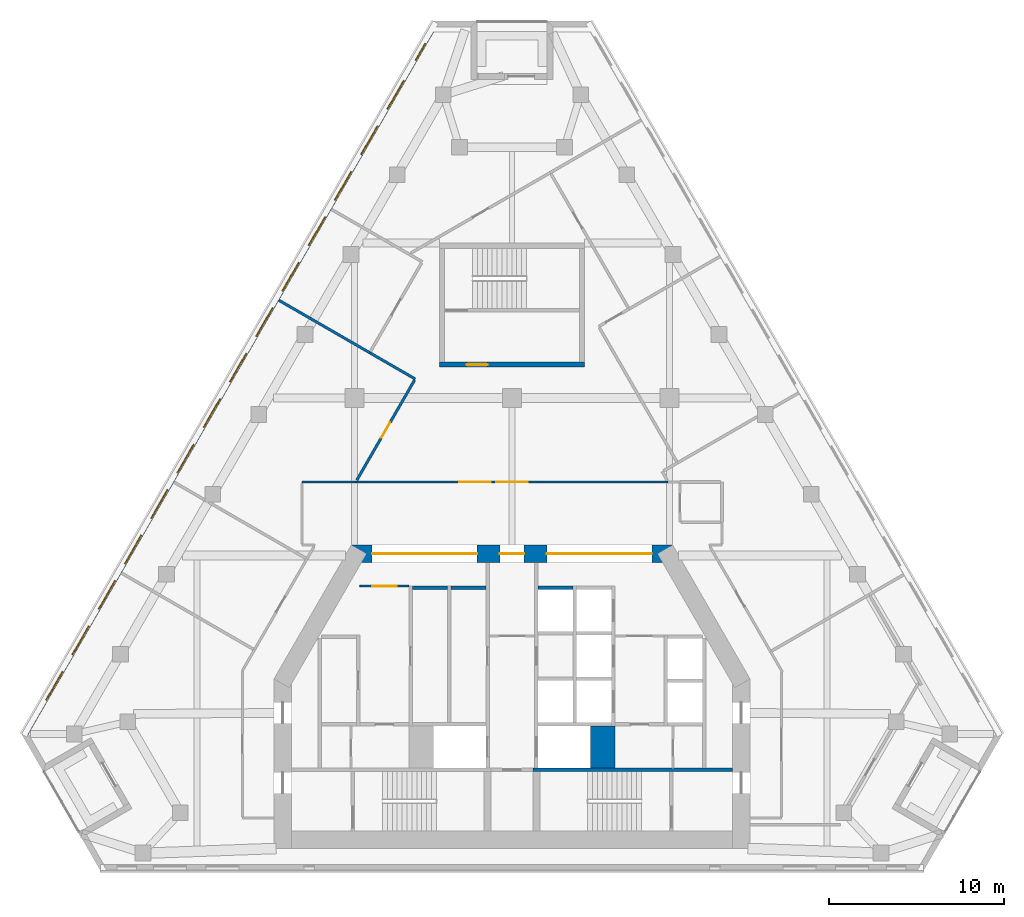
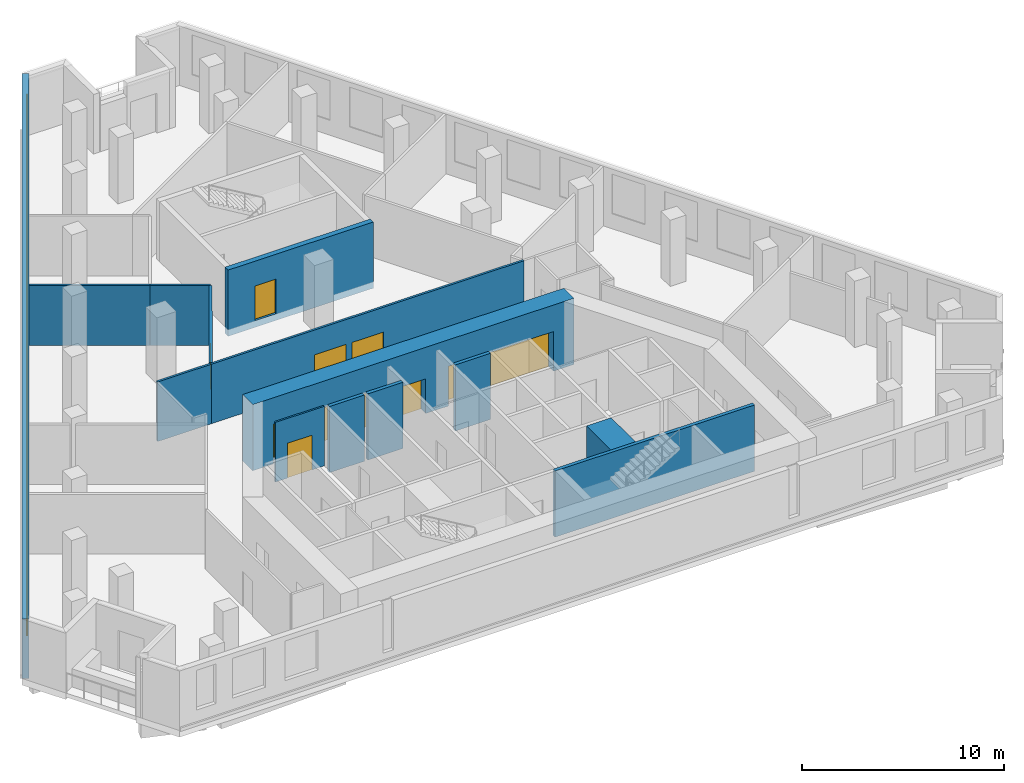
# One storey, part 5 of 9: 15 windows, 14 walls, 8 doors, 23 openings.
"""IFC4 building model written with IfcOpenShell, lengths in metres."""

import ifcopenshell
import ifcopenshell.guid

model = None  # the IFC model being written
_history = None  # IfcOwnerHistory: only IFC2X3 demands one
_inside = {}  # id of a spatial element -> (the spatial element, [elements in it])
_under = {}  # id of a project, library or spatial element -> (it, [spatial elements below it])
_declared = {}  # id of a project -> (the project, [libraries it declares])
_typed = {}  # id of a type object -> (the type object, [elements of that type])
_made_of = {}  # id of a material, layer set ... -> (it, [elements and type objects made of it])


def new_model(schema):
    """Start an empty IFC model of exactly this schema.

    Asked for "IFC4X3", IfcOpenShell would pick the latest addendum, in which some entities
    have other attributes; the version numbers below select the first issue.
    IFC2X3 requires an IfcOwnerHistory on every rooted entity: one is made here for all.
    """
    global model, _history
    if schema == "IFC4X3":
        model = ifcopenshell.file(schema_version=(4, 3, 0, 0))
    else:
        model = ifcopenshell.file(schema=schema)
    _inside.clear()
    _under.clear()
    _declared.clear()
    _typed.clear()
    _made_of.clear()
    _history = None
    if model.schema == "IFC2X3":
        org = make("IfcOrganization", Name="unknown")
        user = make(
            "IfcPersonAndOrganization",
            ThePerson=make("IfcPerson", FamilyName="unknown"),
            TheOrganization=org,
        )
        app = make(
            "IfcApplication",
            ApplicationDeveloper=org,
            Version="unknown",
            ApplicationFullName="unknown",
            ApplicationIdentifier="unknown",
        )
        _history = make(
            "IfcOwnerHistory",
            OwningUser=user,
            OwningApplication=app,
            ChangeAction="ADDED",
            CreationDate=0,
        )
    return model


def make(cls, **values):
    """One entity of the class cls with the attributes given. An attribute that is None is left unset."""
    return model.create_entity(
        cls, **{name: value for name, value in values.items() if value is not None}
    )


def rooted(cls, **values):
    """An entity with a GlobalId (a new one), such as an element, a storey or a relation."""
    return make(cls, GlobalId=ifcopenshell.guid.new(), OwnerHistory=_history, **values)


def si_unit(unit_type, name, prefix=None):
    """IfcSIUnit, for example si_unit("LENGTHUNIT", "METRE", prefix="MILLI")."""
    return make("IfcSIUnit", UnitType=unit_type, Prefix=prefix, Name=name)


def assignment(units):
    """IfcUnitAssignment: the units of a project."""
    return None if units is None else make("IfcUnitAssignment", Units=units)


def point(xyz):
    """IfcCartesianPoint."""
    return None if xyz is None else make("IfcCartesianPoint", Coordinates=xyz)


def direction(xyz):
    """IfcDirection."""
    return None if xyz is None else make("IfcDirection", DirectionRatios=xyz)


def frame(location, z_axis=None, x_axis=None):
    """IfcAxis2Placement3D, a coordinate frame: its origin and axes. An axis left out is left unset."""
    return make(
        "IfcAxis2Placement3D",
        Location=point(location),
        Axis=direction(z_axis),
        RefDirection=direction(x_axis),
    )


def frame_2d(location, x_axis=None):
    """IfcAxis2Placement2D, a coordinate frame in the plane: its origin and x axis."""
    return make(
        "IfcAxis2Placement2D", Location=point(location), RefDirection=direction(x_axis)
    )


def origin():
    """The frame at (0, 0, 0) with its axes left unset."""
    return frame((0.0, 0.0, 0.0))


def place(relative_to, where):
    """IfcLocalPlacement: puts the frame where relative to a parent placement (None: the world)."""
    return make(
        "IfcLocalPlacement", PlacementRelTo=relative_to, RelativePlacement=where
    )


def context(
    kind, dimensions, precision=None, world=None, true_north=None, identifier=None
):
    """IfcGeometricRepresentationContext, for example the 3D "Model" context."""
    return make(
        "IfcGeometricRepresentationContext",
        ContextIdentifier=identifier,
        ContextType=kind,
        CoordinateSpaceDimension=dimensions,
        Precision=precision,
        WorldCoordinateSystem=world,
        TrueNorth=true_north,
    )


def subcontext(parent, identifier, kind, view, scale=None):
    """IfcGeometricRepresentationSubContext, for example "Body" below "Model"."""
    return make(
        "IfcGeometricRepresentationSubContext",
        ContextIdentifier=identifier,
        ContextType=kind,
        ParentContext=parent,
        TargetScale=scale,
        TargetView=view,
    )


def project(units=None, contexts=None):
    """IfcProject with its units and contexts."""
    return rooted(
        "IfcProject",
        Name="project",
        RepresentationContexts=contexts,
        UnitsInContext=assignment(units),
    )


def spatial(cls, under=None, at=None, **own):
    """A site, building, storey or space (cls), placed at a placement, below another one or the project."""
    s = rooted(cls, ObjectPlacement=at, **own)
    if under is not None:
        _under.setdefault(under.id(), (under, []))[1].append(s)
    return s


def profile(cls, at=None, kind="AREA", **sizes):
    """A parametric profile (cls). Its sizes go by their IFC names, for example OverallWidth=200.0."""
    return make(cls, ProfileType=kind, Position=at, **sizes)


def rectangle(**sizes):
    """IfcRectangleProfileDef."""
    return profile("IfcRectangleProfileDef", **sizes)


def extrude(swept, where, along, depth):
    """IfcExtrudedAreaSolid: the profile swept, set in the frame where, extruded along a direction by depth."""
    return make(
        "IfcExtrudedAreaSolid",
        SweptArea=swept,
        Position=where,
        ExtrudedDirection=direction(along),
        Depth=depth,
    )


def shape(context_of_items, identifier, shape_type, items):
    """IfcShapeRepresentation: the items that make up one representation, for example the "Body"."""
    return make(
        "IfcShapeRepresentation",
        ContextOfItems=context_of_items,
        RepresentationIdentifier=identifier,
        RepresentationType=shape_type,
        Items=items,
    )


def material(Name=None, Category=None):
    """IfcMaterial."""
    return make("IfcMaterial", Name=Name, Category=Category)


def layer(
    of_material, thickness, ventilated=None, Name=None, Category=None, Priority=None
):
    """IfcMaterialLayer: one layer of a wall or slab, of a material (None: an air gap)."""
    return make(
        "IfcMaterialLayer",
        Material=of_material,
        LayerThickness=thickness,
        IsVentilated=ventilated,
        Name=Name,
        Category=Category,
        Priority=Priority,
    )


def layer_set(layers, Name=None):
    """IfcMaterialLayerSet."""
    return make("IfcMaterialLayerSet", MaterialLayers=layers, LayerSetName=Name)


def made_of(thing, what):
    """Note that an element or type object is made of a material, layer set ...; save() writes the relation."""
    if what is not None:
        _made_of.setdefault(what.id(), (what, []))[1].append(thing)
    return thing


def type_object(cls, material=None, **own):
    """A type object (cls), such as IfcWallType, which elements share."""
    return made_of(rooted(cls, **own), material)


def element(
    cls,
    number,
    at=None,
    inside=None,
    cuts=None,
    type_object=None,
    material=None,
    context=None,
    identifier="Body",
    shape_type=None,
    held_by="IfcProductDefinitionShape",
    body=None,
    shapes=None,
    **own,
):
    """One element of the class cls, such as IfcWall. Its Tag is "e" and its number.

    at: its placement. inside: the storey or other place that contains it. cuts: it is an
    opening in that element (IfcRelVoidsElement). A single representation is given by context,
    identifier, shape_type and body (its items); several are given by shapes. held_by: the class
    of the entity that holds the representations. save() writes the other relations.
    """
    e = rooted(cls, Tag="e%d" % number, ObjectPlacement=at, **own)
    if body is not None:
        shapes = [shape(context, identifier, shape_type, body)]
    if shapes is not None:
        e.Representation = make(held_by, Representations=shapes)
    if inside is not None:
        _inside.setdefault(inside.id(), (inside, []))[1].append(e)
    if cuts is not None:
        rooted(
            "IfcRelVoidsElement", RelatingBuildingElement=cuts, RelatedOpeningElement=e
        )
    if type_object is not None:
        _typed.setdefault(type_object.id(), (type_object, []))[1].append(e)
    return made_of(e, material)


def fill(opening, filler):
    """IfcRelFillsElement: the door or window that sits in an opening."""
    return rooted(
        "IfcRelFillsElement",
        RelatingOpeningElement=opening,
        RelatedBuildingElement=filler,
    )


def aggregate(whole, parts):
    """IfcRelAggregates: a whole, such as a stair, and the parts it consists of."""
    return rooted("IfcRelAggregates", RelatingObject=whole, RelatedObjects=parts)


def save(model, path):
    """Write the relations noted so far, then the file.

    IfcRelAggregates (storeys below a building ...), IfcRelContainedInSpatialStructure (elements
    in a storey), IfcRelDefinesByType, IfcRelAssociatesMaterial and IfcRelDeclares: one each for
    every whole, place, type object, material and project.
    """
    for whole, parts in _under.values():
        aggregate(whole, parts)
    for where, things in _inside.values():
        rooted(
            "IfcRelContainedInSpatialStructure",
            RelatedElements=things,
            RelatingStructure=where,
        )
    for kind, things in _typed.values():
        rooted("IfcRelDefinesByType", RelatedObjects=things, RelatingType=kind)
    for what, things in _made_of.values():
        rooted("IfcRelAssociatesMaterial", RelatedObjects=things, RelatingMaterial=what)
    for by, libraries in _declared.values():
        rooted("IfcRelDeclares", RelatingContext=by, RelatedDefinitions=libraries)
    model.write(path)


model = new_model("IFC4")

# Units and contexts
model_context = context("Model", 3, precision=1e-05, world=origin(), true_north=direction((0.0, 1.0)))
body_context = subcontext(model_context, "Body", "Model", "MODEL_VIEW")
ifc_project = project(units=[si_unit("LENGTHUNIT", "METRE"), si_unit("AREAUNIT", "SQUARE_METRE"), si_unit("VOLUMEUNIT", "CUBIC_METRE"), si_unit("PLANEANGLEUNIT", "RADIAN"), si_unit("MASSUNIT", "GRAM", prefix="KILO")], contexts=[model_context])

# Site, building, storey
site_placement = place(None, origin())
site = spatial("IfcSite", under=ifc_project, at=site_placement, CompositionType="ELEMENT")
building_placement = place(site_placement, origin())
building = spatial("IfcBuilding", under=site, at=building_placement, Name="Fogline Exchange Tower", CompositionType="ELEMENT")
storey_placement = place(building_placement, frame((0.0, 0.0, 190.10009765625)))
storey = spatial("IfcBuildingStorey", under=building, at=storey_placement, Name="L42", CompositionType="ELEMENT", Elevation=190.10009765625)

# Wall, opening, door
ifc_material_1 = material(Name="Blockwork partition", Category="masonry")
ifc_layer_1 = layer(ifc_material_1, 0.10009765625)
ifc_layer_set_1 = layer_set([ifc_layer_1], Name="CW10")
wall_type_1 = type_object("IfcWallType", Name="CW10", PredefinedType="PARTITIONING", material=ifc_layer_set_1)
wall_1_placement = place(storey_placement, frame((-8.699951171875, 16.25, 0.0), z_axis=(0.0, 0.0, 1.0), x_axis=(1.0, 0.0, 0.0)))
wall_1 = element("IfcWall", 1, at=wall_1_placement, inside=storey, type_object=wall_type_1, Name="Lift lobby partition", PredefinedType="PARTITIONING", context=body_context, shape_type="SweptSolid", body=[
    extrude(rectangle(XDim=2.800048828125, YDim=0.10009765625, at=frame_2d((1.39990234375, 0.0))), origin(), (0.0, 0.0, 1.0), 3.599853515625),
])
opening_1_placement = place(wall_1_placement, frame((0.699951171875, 0.0, 0.0)))
opening_1 = element("IfcOpeningElement", 2, at=opening_1_placement, cuts=wall_1, Name="Opening T13-C006", PredefinedType="OPENING", context=body_context, shape_type="SweptSolid", body=[
    extrude(rectangle(XDim=1.39990234375, YDim=2.10009765625, at=frame_2d((0.699951171875, 1.050048828125))), frame((0.0, 0.06005859375, 0.0), z_axis=(0.0, -1.0, 0.0), x_axis=(1.0, 0.0, 0.0)), (0.0, 0.0, 1.0), 0.1201171875),
])
ifc_material_2 = material(Name="Steel and timber fire door", Category="steel")
door_type_1 = type_object("IfcDoorType", Name="D-LB1", OperationType="DOUBLE_DOOR_SINGLE_SWING", PredefinedType="DOOR", material=ifc_material_2)
door_1_placement = place(opening_1_placement, origin())
door_1 = element("IfcDoor", 3, at=door_1_placement, inside=storey, type_object=door_type_1, Name="Door to lift lobby", OperationType="DOUBLE_DOOR_SINGLE_SWING", OverallHeight=2.10009765625, OverallWidth=1.39990234375, PredefinedType="DOOR", context=body_context, shape_type="SweptSolid", body=[
    extrude(rectangle(XDim=1.39990234375, YDim=2.10009765625, at=frame_2d((0.699951171875, 1.050048828125))), frame((0.0, 0.02490234375, 0.0), z_axis=(0.0, -1.0, 0.0), x_axis=(1.0, 0.0, 0.0)), (0.0, 0.0, 1.0), 0.050048828125),
])
fill(opening_1, door_1)

# Walls
ifc_material_3 = material(Name="Concrete C60", Category="concrete")
ifc_layer_2 = layer(ifc_material_3, 1.39990234375)
ifc_layer_set_2 = layer_set([ifc_layer_2], Name="CW140")
wall_type_2 = type_object("IfcWallType", Name="CW140", PredefinedType="SOLIDWALL", material=ifc_layer_set_2)
wall_2_placement = place(storey_placement, frame((5.199951171875, 5.85009765625, -0.400146484375), z_axis=(0.0, 0.0, 1.0), x_axis=(0.0, 1.0, 0.0)))
element("IfcWall", 4, at=wall_2_placement, inside=storey, type_object=wall_type_2, Name="Lift shaft block wall", PredefinedType="SOLIDWALL", context=body_context, shape_type="SweptSolid", body=[
    extrude(rectangle(XDim=2.39990234375, YDim=1.39990234375, at=frame_2d((1.199951171875, 0.0))), origin(), (0.0, 0.0, 1.0), 4.0),
])
ifc_material_4 = material(Name="Concrete C40", Category="concrete")
ifc_layer_3 = layer(ifc_material_4, 0.199951171875)
ifc_layer_set_3 = layer_set([ifc_layer_3], Name="CW20R")
wall_type_3 = type_object("IfcWallType", Name="CW20R", PredefinedType="SOLIDWALL", material=ifc_layer_set_3)
wall_3_placement = place(storey_placement, frame((1.199951171875, 5.75, -0.400146484375), z_axis=(0.0, 0.0, 1.0), x_axis=(1.0, 0.0, 0.0)))
element("IfcWall", 5, at=wall_3_placement, inside=storey, type_object=wall_type_3, Name="Stair enclosure wall", PredefinedType="SOLIDWALL", context=body_context, shape_type="SweptSolid", body=[
    extrude(rectangle(XDim=11.400146484375, YDim=0.199951171875, at=frame_2d((5.7001953125, 0.0))), origin(), (0.0, 0.0, 1.0), 4.0),
])
ifc_layer_4 = layer(ifc_material_4, 0.199951171875)
ifc_layer_set_4 = layer_set([ifc_layer_4], Name="CW20S")
wall_type_4 = type_object("IfcWallType", Name="CW20S", PredefinedType="SOLIDWALL", material=ifc_layer_set_4)
for number, where, z_axis, x_axis, name in (
    (6, (-5.699951171875, 16.14990234375, -0.400146484375), (0.0, 0.0, 1.0), (1.0, 0.0, 0.0), "Lift shaft wall"),
    (7, (-3.5, 16.14990234375, -0.400146484375), (0.0, 0.0, 1.0), (1.0, 0.0, 0.0), "Lift shaft wall"),
    (8, (1.5, 16.14990234375, -0.400146484375), (0.0, 0.0, 1.0), (1.0, 0.0, 0.0), "Lift shaft wall"),
):
    element("IfcWall", number, at=place(storey_placement, frame(where, z_axis=z_axis, x_axis=x_axis)), inside=storey, type_object=wall_type_4, Name=name, PredefinedType="SOLIDWALL", context=body_context, shape_type="SweptSolid", body=[
        extrude(rectangle(XDim=2.0, YDim=0.199951171875, at=frame_2d((1.0, 0.0))), origin(), (0.0, 0.0, 1.0), 4.0),
    ])

# Wall, opening, door
ifc_layer_5 = layer(ifc_material_4, 0.300048828125)
ifc_layer_set_5 = layer_set([ifc_layer_5], Name="CW30")
wall_type_5 = type_object("IfcWallType", Name="CW30", PredefinedType="SOLIDWALL", material=ifc_layer_set_5)
wall_4_placement = place(storey_placement, frame((-4.14990234375, 28.906982421875, -0.400146484375), z_axis=(0.0, 0.0, 1.0), x_axis=(1.0, 0.0, 0.0)))
wall_4 = element("IfcWall", 9, at=wall_4_placement, inside=storey, type_object=wall_type_5, Name="Stair enclosure wall ST3", PredefinedType="SOLIDWALL", context=body_context, shape_type="SweptSolid", body=[
    extrude(rectangle(XDim=8.2998046875, YDim=0.300048828125, at=frame_2d((4.14990234375, 0.0))), origin(), (0.0, 0.0, 1.0), 4.0),
])
opening_2_placement = place(wall_4_placement, frame((1.550048828125, 0.0, 0.39990234375)))
opening_2 = element("IfcOpeningElement", 10, at=opening_2_placement, cuts=wall_4, Name="Opening T13-C022", PredefinedType="OPENING", context=body_context, shape_type="SweptSolid", body=[
    extrude(rectangle(XDim=1.199951171875, YDim=2.10009765625, at=frame_2d((0.60009765625, 1.050048828125))), frame((0.0, 0.16015625, 0.0), z_axis=(0.0, -1.0, 0.0), x_axis=(1.0, 0.0, 0.0)), (0.0, 0.0, 1.0), 0.320068359375),
])
door_type_2 = type_object("IfcDoorType", Name="D-FR1", OperationType="SINGLE_SWING_RIGHT", PredefinedType="DOOR", material=ifc_material_2)
door_2_placement = place(opening_2_placement, origin())
door_2 = element("IfcDoor", 11, at=door_2_placement, inside=storey, type_object=door_type_2, Name="Front room door ST3", OperationType="SINGLE_SWING_LEFT", OverallHeight=2.10009765625, OverallWidth=1.199951171875, PredefinedType="DOOR", context=body_context, shape_type="SweptSolid", body=[
    extrude(rectangle(XDim=1.199951171875, YDim=2.10009765625, at=frame_2d((0.60009765625, 1.050048828125))), frame((0.0, 0.02490234375, 0.0), z_axis=(0.0, -1.0, 0.0), x_axis=(1.0, 0.0, 0.0)), (0.0, 0.0, 1.0), 0.050048828125),
])
fill(opening_2, door_2)

# Wall, openings, windows
ifc_material_5 = material(Name="Brick masonry", Category="masonry")
ifc_layer_6 = layer(ifc_material_5, 0.340087890625)
ifc_layer_set_6 = layer_set([ifc_layer_6], Name="FW1")
wall_type_6 = type_object("IfcWallType", Name="FW1", PredefinedType="SOLIDWALL", material=ifc_layer_set_6)
wall_5_placement = place(storey_placement, frame((-4.352783203125, 48.466552734375, 0.0), z_axis=(0.0, 0.0, 1.0), x_axis=(-0.499999966388, -0.86602542319, 0.0)))
wall_5 = element("IfcWall", 12, at=wall_5_placement, inside=storey, type_object=wall_type_6, Name="Brick wall L42 W", PredefinedType="SOLIDWALL", context=body_context, shape_type="SweptSolid", body=[
    extrude(rectangle(XDim=47.0625, YDim=0.340087890625, at=frame_2d((23.53125, 0.0))), origin(), (0.0, 0.0, 1.0), 3.599853515625),
])
opening_3_placement = place(wall_5_placement, frame((3.796875, 0.0, 0.89990234375)))
opening_3 = element("IfcOpeningElement", 13, at=opening_3_placement, cuts=wall_5, Name="Opening W1", PredefinedType="OPENING", context=body_context, shape_type="SweptSolid", body=[
    extrude(rectangle(XDim=1.885009765625, YDim=2.39990234375, at=frame_2d((0.9423828125, 1.199951171875))), frame((0.0, 0.18017578125, 0.0), z_axis=(0.0, -1.0, 0.0), x_axis=(1.0, 0.0, 0.0)), (0.0, 0.0, 1.0), 0.360107421875),
])
opening_4_placement = place(wall_5_placement, frame((6.796875, 0.0, 0.89990234375)))
opening_4 = element("IfcOpeningElement", 14, at=opening_4_placement, cuts=wall_5, Name="Opening W1", PredefinedType="OPENING", context=body_context, shape_type="SweptSolid", body=[
    extrude(rectangle(XDim=1.885009765625, YDim=2.39990234375, at=frame_2d((0.9423828125, 1.199951171875))), frame((0.0, 0.18017578125, 0.0), z_axis=(0.0, -1.0, 0.0), x_axis=(1.0, 0.0, 0.0)), (0.0, 0.0, 1.0), 0.360107421875),
])
opening_5_placement = place(wall_5_placement, frame((9.796875, 0.0, 0.89990234375)))
opening_5 = element("IfcOpeningElement", 15, at=opening_5_placement, cuts=wall_5, Name="Opening W1", PredefinedType="OPENING", context=body_context, shape_type="SweptSolid", body=[
    extrude(rectangle(XDim=1.885009765625, YDim=2.39990234375, at=frame_2d((0.9423828125, 1.199951171875))), frame((0.0, 0.18017578125, 0.0), z_axis=(0.0, -1.0, 0.0), x_axis=(1.0, 0.0, 0.0)), (0.0, 0.0, 1.0), 0.360107421875),
])
opening_6_placement = place(wall_5_placement, frame((12.796875, 0.0, 0.89990234375)))
opening_6 = element("IfcOpeningElement", 16, at=opening_6_placement, cuts=wall_5, Name="Opening W1", PredefinedType="OPENING", context=body_context, shape_type="SweptSolid", body=[
    extrude(rectangle(XDim=1.885009765625, YDim=2.39990234375, at=frame_2d((0.9423828125, 1.199951171875))), frame((0.0, 0.18017578125, 0.0), z_axis=(0.0, -1.0, 0.0), x_axis=(1.0, 0.0, 0.0)), (0.0, 0.0, 1.0), 0.360107421875),
])
opening_7_placement = place(wall_5_placement, frame((15.796875, 0.0, 0.89990234375)))
opening_7 = element("IfcOpeningElement", 17, at=opening_7_placement, cuts=wall_5, Name="Opening W1", PredefinedType="OPENING", context=body_context, shape_type="SweptSolid", body=[
    extrude(rectangle(XDim=1.885009765625, YDim=2.39990234375, at=frame_2d((0.9423828125, 1.199951171875))), frame((0.0, 0.18017578125, 0.0), z_axis=(0.0, -1.0, 0.0), x_axis=(1.0, 0.0, 0.0)), (0.0, 0.0, 1.0), 0.360107421875),
])
opening_8_placement = place(wall_5_placement, frame((18.796875, 0.0, 0.89990234375)))
opening_8 = element("IfcOpeningElement", 18, at=opening_8_placement, cuts=wall_5, Name="Opening W1", PredefinedType="OPENING", context=body_context, shape_type="SweptSolid", body=[
    extrude(rectangle(XDim=1.885009765625, YDim=2.39990234375, at=frame_2d((0.9423828125, 1.199951171875))), frame((0.0, 0.18017578125, 0.0), z_axis=(0.0, -1.0, 0.0), x_axis=(1.0, 0.0, 0.0)), (0.0, 0.0, 1.0), 0.360107421875),
])
opening_9_placement = place(wall_5_placement, frame((21.796875, 0.0, 0.89990234375)))
opening_9 = element("IfcOpeningElement", 19, at=opening_9_placement, cuts=wall_5, Name="Opening W1", PredefinedType="OPENING", context=body_context, shape_type="SweptSolid", body=[
    extrude(rectangle(XDim=1.885009765625, YDim=2.39990234375, at=frame_2d((0.9423828125, 1.199951171875))), frame((0.0, 0.18017578125, 0.0), z_axis=(0.0, -1.0, 0.0), x_axis=(1.0, 0.0, 0.0)), (0.0, 0.0, 1.0), 0.360107421875),
])
opening_10_placement = place(wall_5_placement, frame((24.796875, 0.0, 0.89990234375)))
opening_10 = element("IfcOpeningElement", 20, at=opening_10_placement, cuts=wall_5, Name="Opening W1", PredefinedType="OPENING", context=body_context, shape_type="SweptSolid", body=[
    extrude(rectangle(XDim=1.885009765625, YDim=2.39990234375, at=frame_2d((0.9423828125, 1.199951171875))), frame((0.0, 0.18017578125, 0.0), z_axis=(0.0, -1.0, 0.0), x_axis=(1.0, 0.0, 0.0)), (0.0, 0.0, 1.0), 0.360107421875),
])
opening_11_placement = place(wall_5_placement, frame((27.796875, 0.0, 0.89990234375)))
opening_11 = element("IfcOpeningElement", 21, at=opening_11_placement, cuts=wall_5, Name="Opening W1", PredefinedType="OPENING", context=body_context, shape_type="SweptSolid", body=[
    extrude(rectangle(XDim=1.885009765625, YDim=2.39990234375, at=frame_2d((0.9423828125, 1.199951171875))), frame((0.0, 0.18017578125, 0.0), z_axis=(0.0, -1.0, 0.0), x_axis=(1.0, 0.0, 0.0)), (0.0, 0.0, 1.0), 0.360107421875),
])
opening_12_placement = place(wall_5_placement, frame((30.796875, 0.0, 0.89990234375)))
opening_12 = element("IfcOpeningElement", 22, at=opening_12_placement, cuts=wall_5, Name="Opening W1", PredefinedType="OPENING", context=body_context, shape_type="SweptSolid", body=[
    extrude(rectangle(XDim=1.885009765625, YDim=2.39990234375, at=frame_2d((0.9423828125, 1.199951171875))), frame((0.0, 0.18017578125, 0.0), z_axis=(0.0, -1.0, 0.0), x_axis=(1.0, 0.0, 0.0)), (0.0, 0.0, 1.0), 0.360107421875),
])
opening_13_placement = place(wall_5_placement, frame((33.796875, 0.0, 0.89990234375)))
opening_13 = element("IfcOpeningElement", 23, at=opening_13_placement, cuts=wall_5, Name="Opening W1", PredefinedType="OPENING", context=body_context, shape_type="SweptSolid", body=[
    extrude(rectangle(XDim=1.885009765625, YDim=2.39990234375, at=frame_2d((0.9423828125, 1.199951171875))), frame((0.0, 0.18017578125, 0.0), z_axis=(0.0, -1.0, 0.0), x_axis=(1.0, 0.0, 0.0)), (0.0, 0.0, 1.0), 0.360107421875),
])
opening_14_placement = place(wall_5_placement, frame((36.796875, 0.0, 0.89990234375)))
opening_14 = element("IfcOpeningElement", 24, at=opening_14_placement, cuts=wall_5, Name="Opening W1", PredefinedType="OPENING", context=body_context, shape_type="SweptSolid", body=[
    extrude(rectangle(XDim=1.885009765625, YDim=2.39990234375, at=frame_2d((0.9423828125, 1.199951171875))), frame((0.0, 0.18017578125, 0.0), z_axis=(0.0, -1.0, 0.0), x_axis=(1.0, 0.0, 0.0)), (0.0, 0.0, 1.0), 0.360107421875),
])
opening_15_placement = place(wall_5_placement, frame((39.796875, 0.0, 0.89990234375)))
opening_15 = element("IfcOpeningElement", 25, at=opening_15_placement, cuts=wall_5, Name="Opening W1", PredefinedType="OPENING", context=body_context, shape_type="SweptSolid", body=[
    extrude(rectangle(XDim=1.885009765625, YDim=2.39990234375, at=frame_2d((0.9423828125, 1.199951171875))), frame((0.0, 0.18017578125, 0.0), z_axis=(0.0, -1.0, 0.0), x_axis=(1.0, 0.0, 0.0)), (0.0, 0.0, 1.0), 0.360107421875),
])
opening_16_placement = place(wall_5_placement, frame((42.796875, 0.0, 0.89990234375)))
opening_16 = element("IfcOpeningElement", 26, at=opening_16_placement, cuts=wall_5, Name="Opening W1", PredefinedType="OPENING", context=body_context, shape_type="SweptSolid", body=[
    extrude(rectangle(XDim=1.885009765625, YDim=2.39990234375, at=frame_2d((0.9423828125, 1.199951171875))), frame((0.0, 0.18017578125, 0.0), z_axis=(0.0, -1.0, 0.0), x_axis=(1.0, 0.0, 0.0)), (0.0, 0.0, 1.0), 0.360107421875),
])
opening_17_placement = place(wall_5_placement, frame((1.341064453125, 0.0, 0.89990234375)))
opening_17 = element("IfcOpeningElement", 27, at=opening_17_placement, cuts=wall_5, Name="Opening W4", PredefinedType="OPENING", context=body_context, shape_type="SweptSolid", body=[
    extrude(rectangle(XDim=1.114990234375, YDim=2.39990234375, at=frame_2d((0.5576171875, 1.199951171875))), frame((0.0, 0.18017578125, 0.0), z_axis=(0.0, -1.0, 0.0), x_axis=(1.0, 0.0, 0.0)), (0.0, 0.0, 1.0), 0.360107421875),
])
ifc_material_6 = material(Name="Aluminium and glass", Category="aluminium")
window_type_1 = type_object("IfcWindowType", Name="W1", PartitioningType="SINGLE_PANEL", PredefinedType="WINDOW", material=ifc_material_6)
window_1_placement = place(opening_3_placement, origin())
window_1 = element("IfcWindow", 28, at=window_1_placement, inside=storey, type_object=window_type_1, Name="W1 W1", OverallHeight=2.39990234375, OverallWidth=1.885009765625, PartitioningType="SINGLE_PANEL", PredefinedType="WINDOW", context=body_context, shape_type="SweptSolid", body=[
    extrude(rectangle(XDim=1.885009765625, YDim=2.39990234375, at=frame_2d((0.9423828125, 1.199951171875))), frame((0.0, 0.110107421875, 0.0), z_axis=(0.0, -1.0, 0.0), x_axis=(1.0, 0.0, 0.0)), (0.0, 0.0, 1.0), 0.06005859375),
])
fill(opening_3, window_1)
window_2_placement = place(opening_4_placement, origin())
window_2 = element("IfcWindow", 29, at=window_2_placement, inside=storey, type_object=window_type_1, Name="W1 W1", OverallHeight=2.39990234375, OverallWidth=1.885009765625, PartitioningType="SINGLE_PANEL", PredefinedType="WINDOW", context=body_context, shape_type="SweptSolid", body=[
    extrude(rectangle(XDim=1.885009765625, YDim=2.39990234375, at=frame_2d((0.9423828125, 1.199951171875))), frame((0.0, 0.110107421875, 0.0), z_axis=(0.0, -1.0, 0.0), x_axis=(1.0, 0.0, 0.0)), (0.0, 0.0, 1.0), 0.06005859375),
])
fill(opening_4, window_2)
window_3_placement = place(opening_5_placement, origin())
window_3 = element("IfcWindow", 30, at=window_3_placement, inside=storey, type_object=window_type_1, Name="W1 W1", OverallHeight=2.39990234375, OverallWidth=1.885009765625, PartitioningType="SINGLE_PANEL", PredefinedType="WINDOW", context=body_context, shape_type="SweptSolid", body=[
    extrude(rectangle(XDim=1.885009765625, YDim=2.39990234375, at=frame_2d((0.9423828125, 1.199951171875))), frame((0.0, 0.110107421875, 0.0), z_axis=(0.0, -1.0, 0.0), x_axis=(1.0, 0.0, 0.0)), (0.0, 0.0, 1.0), 0.06005859375),
])
fill(opening_5, window_3)
window_4_placement = place(opening_6_placement, origin())
window_4 = element("IfcWindow", 31, at=window_4_placement, inside=storey, type_object=window_type_1, Name="W1 W1", OverallHeight=2.39990234375, OverallWidth=1.885009765625, PartitioningType="SINGLE_PANEL", PredefinedType="WINDOW", context=body_context, shape_type="SweptSolid", body=[
    extrude(rectangle(XDim=1.885009765625, YDim=2.39990234375, at=frame_2d((0.9423828125, 1.199951171875))), frame((0.0, 0.110107421875, 0.0), z_axis=(0.0, -1.0, 0.0), x_axis=(1.0, 0.0, 0.0)), (0.0, 0.0, 1.0), 0.06005859375),
])
fill(opening_6, window_4)
window_5_placement = place(opening_7_placement, origin())
window_5 = element("IfcWindow", 32, at=window_5_placement, inside=storey, type_object=window_type_1, Name="W1 W1", OverallHeight=2.39990234375, OverallWidth=1.885009765625, PartitioningType="SINGLE_PANEL", PredefinedType="WINDOW", context=body_context, shape_type="SweptSolid", body=[
    extrude(rectangle(XDim=1.885009765625, YDim=2.39990234375, at=frame_2d((0.9423828125, 1.199951171875))), frame((0.0, 0.110107421875, 0.0), z_axis=(0.0, -1.0, 0.0), x_axis=(1.0, 0.0, 0.0)), (0.0, 0.0, 1.0), 0.06005859375),
])
fill(opening_7, window_5)
window_6_placement = place(opening_8_placement, origin())
window_6 = element("IfcWindow", 33, at=window_6_placement, inside=storey, type_object=window_type_1, Name="W1 W1", OverallHeight=2.39990234375, OverallWidth=1.885009765625, PartitioningType="SINGLE_PANEL", PredefinedType="WINDOW", context=body_context, shape_type="SweptSolid", body=[
    extrude(rectangle(XDim=1.885009765625, YDim=2.39990234375, at=frame_2d((0.9423828125, 1.199951171875))), frame((0.0, 0.110107421875, 0.0), z_axis=(0.0, -1.0, 0.0), x_axis=(1.0, 0.0, 0.0)), (0.0, 0.0, 1.0), 0.06005859375),
])
fill(opening_8, window_6)
window_7_placement = place(opening_9_placement, origin())
window_7 = element("IfcWindow", 34, at=window_7_placement, inside=storey, type_object=window_type_1, Name="W1 W1", OverallHeight=2.39990234375, OverallWidth=1.885009765625, PartitioningType="SINGLE_PANEL", PredefinedType="WINDOW", context=body_context, shape_type="SweptSolid", body=[
    extrude(rectangle(XDim=1.885009765625, YDim=2.39990234375, at=frame_2d((0.9423828125, 1.199951171875))), frame((0.0, 0.110107421875, 0.0), z_axis=(0.0, -1.0, 0.0), x_axis=(1.0, 0.0, 0.0)), (0.0, 0.0, 1.0), 0.06005859375),
])
fill(opening_9, window_7)
window_8_placement = place(opening_10_placement, origin())
window_8 = element("IfcWindow", 35, at=window_8_placement, inside=storey, type_object=window_type_1, Name="W1 W1", OverallHeight=2.39990234375, OverallWidth=1.885009765625, PartitioningType="SINGLE_PANEL", PredefinedType="WINDOW", context=body_context, shape_type="SweptSolid", body=[
    extrude(rectangle(XDim=1.885009765625, YDim=2.39990234375, at=frame_2d((0.9423828125, 1.199951171875))), frame((0.0, 0.110107421875, 0.0), z_axis=(0.0, -1.0, 0.0), x_axis=(1.0, 0.0, 0.0)), (0.0, 0.0, 1.0), 0.06005859375),
])
fill(opening_10, window_8)
window_9_placement = place(opening_11_placement, origin())
window_9 = element("IfcWindow", 36, at=window_9_placement, inside=storey, type_object=window_type_1, Name="W1 W1", OverallHeight=2.39990234375, OverallWidth=1.885009765625, PartitioningType="SINGLE_PANEL", PredefinedType="WINDOW", context=body_context, shape_type="SweptSolid", body=[
    extrude(rectangle(XDim=1.885009765625, YDim=2.39990234375, at=frame_2d((0.9423828125, 1.199951171875))), frame((0.0, 0.110107421875, 0.0), z_axis=(0.0, -1.0, 0.0), x_axis=(1.0, 0.0, 0.0)), (0.0, 0.0, 1.0), 0.06005859375),
])
fill(opening_11, window_9)
window_10_placement = place(opening_12_placement, origin())
window_10 = element("IfcWindow", 37, at=window_10_placement, inside=storey, type_object=window_type_1, Name="W1 W1", OverallHeight=2.39990234375, OverallWidth=1.885009765625, PartitioningType="SINGLE_PANEL", PredefinedType="WINDOW", context=body_context, shape_type="SweptSolid", body=[
    extrude(rectangle(XDim=1.885009765625, YDim=2.39990234375, at=frame_2d((0.9423828125, 1.199951171875))), frame((0.0, 0.110107421875, 0.0), z_axis=(0.0, -1.0, 0.0), x_axis=(1.0, 0.0, 0.0)), (0.0, 0.0, 1.0), 0.06005859375),
])
fill(opening_12, window_10)
window_11_placement = place(opening_13_placement, origin())
window_11 = element("IfcWindow", 38, at=window_11_placement, inside=storey, type_object=window_type_1, Name="W1 W1", OverallHeight=2.39990234375, OverallWidth=1.885009765625, PartitioningType="SINGLE_PANEL", PredefinedType="WINDOW", context=body_context, shape_type="SweptSolid", body=[
    extrude(rectangle(XDim=1.885009765625, YDim=2.39990234375, at=frame_2d((0.9423828125, 1.199951171875))), frame((0.0, 0.110107421875, 0.0), z_axis=(0.0, -1.0, 0.0), x_axis=(1.0, 0.0, 0.0)), (0.0, 0.0, 1.0), 0.06005859375),
])
fill(opening_13, window_11)
window_12_placement = place(opening_14_placement, origin())
window_12 = element("IfcWindow", 39, at=window_12_placement, inside=storey, type_object=window_type_1, Name="W1 W1", OverallHeight=2.39990234375, OverallWidth=1.885009765625, PartitioningType="SINGLE_PANEL", PredefinedType="WINDOW", context=body_context, shape_type="SweptSolid", body=[
    extrude(rectangle(XDim=1.885009765625, YDim=2.39990234375, at=frame_2d((0.9423828125, 1.199951171875))), frame((0.0, 0.110107421875, 0.0), z_axis=(0.0, -1.0, 0.0), x_axis=(1.0, 0.0, 0.0)), (0.0, 0.0, 1.0), 0.06005859375),
])
fill(opening_14, window_12)
window_13_placement = place(opening_15_placement, origin())
window_13 = element("IfcWindow", 40, at=window_13_placement, inside=storey, type_object=window_type_1, Name="W1 W1", OverallHeight=2.39990234375, OverallWidth=1.885009765625, PartitioningType="SINGLE_PANEL", PredefinedType="WINDOW", context=body_context, shape_type="SweptSolid", body=[
    extrude(rectangle(XDim=1.885009765625, YDim=2.39990234375, at=frame_2d((0.9423828125, 1.199951171875))), frame((0.0, 0.110107421875, 0.0), z_axis=(0.0, -1.0, 0.0), x_axis=(1.0, 0.0, 0.0)), (0.0, 0.0, 1.0), 0.06005859375),
])
fill(opening_15, window_13)
window_14_placement = place(opening_16_placement, origin())
window_14 = element("IfcWindow", 41, at=window_14_placement, inside=storey, type_object=window_type_1, Name="W1 W1", OverallHeight=2.39990234375, OverallWidth=1.885009765625, PartitioningType="SINGLE_PANEL", PredefinedType="WINDOW", context=body_context, shape_type="SweptSolid", body=[
    extrude(rectangle(XDim=1.885009765625, YDim=2.39990234375, at=frame_2d((0.9423828125, 1.199951171875))), frame((0.0, 0.110107421875, 0.0), z_axis=(0.0, -1.0, 0.0), x_axis=(1.0, 0.0, 0.0)), (0.0, 0.0, 1.0), 0.06005859375),
])
fill(opening_16, window_14)
window_type_2 = type_object("IfcWindowType", Name="W4", PartitioningType="SINGLE_PANEL", PredefinedType="WINDOW", material=ifc_material_6)
window_15_placement = place(opening_17_placement, origin())
window_15 = element("IfcWindow", 42, at=window_15_placement, inside=storey, type_object=window_type_2, Name="W4 W4", OverallHeight=2.39990234375, OverallWidth=1.114990234375, PartitioningType="SINGLE_PANEL", PredefinedType="WINDOW", context=body_context, shape_type="SweptSolid", body=[
    extrude(rectangle(XDim=1.114990234375, YDim=2.39990234375, at=frame_2d((0.5576171875, 1.199951171875))), frame((0.0, 0.110107421875, 0.0), z_axis=(0.0, -1.0, 0.0), x_axis=(1.0, 0.0, 0.0)), (0.0, 0.0, 1.0), 0.06005859375),
])
fill(opening_17, window_15)

# Wall, openings, doors
ifc_material_7 = material(Name="Plasterboard corridor partition with mineral wool, 2 layers each side")
ifc_layer_7 = layer(ifc_material_7, 0.125)
ifc_layer_set_7 = layer_set([ifc_layer_7], Name="PW2")
wall_type_7 = type_object("IfcWallType", Name="PW2", PredefinedType="PARTITIONING", material=ifc_layer_set_7)
wall_6_placement = place(storey_placement, frame((-8.92919921875, 22.199951171875, 0.0), z_axis=(0.0, 0.0, 1.0), x_axis=(1.0, 0.0, 0.0)))
wall_6 = element("IfcWall", 43, at=wall_6_placement, inside=storey, type_object=wall_type_7, Name="wall-L42-W010", PredefinedType="PARTITIONING", context=body_context, shape_type="SweptSolid", body=[
    extrude(rectangle(XDim=17.8583984375, YDim=0.125, at=frame_2d((8.92919921875, 0.0))), origin(), (0.0, 0.0, 1.0), 3.599853515625),
])
opening_18_placement = place(wall_6_placement, frame((5.90771484375, 0.0, 0.0)))
opening_18 = element("IfcOpeningElement", 44, at=opening_18_placement, cuts=wall_6, Name="Opening T13-D004", PredefinedType="OPENING", context=body_context, shape_type="SweptSolid", body=[
    extrude(rectangle(XDim=1.800048828125, YDim=2.10009765625, at=frame_2d((0.89990234375, 1.050048828125))), frame((0.0, 0.072509765625, 0.0), z_axis=(0.0, -1.0, 0.0), x_axis=(1.0, 0.0, 0.0)), (0.0, 0.0, 1.0), 0.14501953125),
])
opening_19_placement = place(wall_6_placement, frame((8.029296875, 0.0, 0.0)))
opening_19 = element("IfcOpeningElement", 45, at=opening_19_placement, cuts=wall_6, Name="Opening T13-D005", PredefinedType="OPENING", context=body_context, shape_type="SweptSolid", body=[
    extrude(rectangle(XDim=1.800048828125, YDim=2.10009765625, at=frame_2d((0.89990234375, 1.050048828125))), frame((0.0, 0.072509765625, 0.0), z_axis=(0.0, -1.0, 0.0), x_axis=(1.0, 0.0, 0.0)), (0.0, 0.0, 1.0), 0.14501953125),
])
ifc_material_8 = material(Name="Fire-rated timber door leaves with steel frame", Category="steel")
door_type_3 = type_object("IfcDoorType", Name="D4", OperationType="DOUBLE_DOOR_SINGLE_SWING", PredefinedType="DOOR", material=ifc_material_8)
door_3_placement = place(opening_18_placement, frame((1.800048828125, 0.0, 0.0), z_axis=(0.0, 0.0, 1.0), x_axis=(-1.0, 0.0, 0.0)))
door_3 = element("IfcDoor", 46, at=door_3_placement, inside=storey, type_object=door_type_3, Name="door-L42-D004", OperationType="DOUBLE_DOOR_SINGLE_SWING", OverallHeight=2.10009765625, OverallWidth=1.800048828125, PredefinedType="DOOR", context=body_context, shape_type="SweptSolid", body=[
    extrude(rectangle(XDim=1.800048828125, YDim=2.10009765625, at=frame_2d((0.89990234375, 1.050048828125))), frame((0.0, 0.02490234375, 0.0), z_axis=(0.0, -1.0, 0.0), x_axis=(1.0, 0.0, 0.0)), (0.0, 0.0, 1.0), 0.050048828125),
])
fill(opening_18, door_3)
door_4_placement = place(opening_19_placement, frame((1.800048828125, 0.0, 0.0), z_axis=(0.0, 0.0, 1.0), x_axis=(-1.0, 0.0, 0.0)))
door_4 = element("IfcDoor", 47, at=door_4_placement, inside=storey, type_object=door_type_3, Name="door-L42-D005", OperationType="DOUBLE_DOOR_SINGLE_SWING", OverallHeight=2.10009765625, OverallWidth=1.800048828125, PredefinedType="DOOR", context=body_context, shape_type="SweptSolid", body=[
    extrude(rectangle(XDim=1.800048828125, YDim=2.10009765625, at=frame_2d((0.89990234375, 1.050048828125))), frame((0.0, 0.02490234375, 0.0), z_axis=(0.0, -1.0, 0.0), x_axis=(1.0, 0.0, 0.0)), (0.0, 0.0, 1.0), 0.050048828125),
])
fill(opening_19, door_4)

# Wall
wall_7_placement = place(storey_placement, frame((-12.0, 22.199951171875, 0.0), z_axis=(0.0, 0.0, 1.0), x_axis=(1.0, 0.0, 0.0)))
element("IfcWall", 48, at=wall_7_placement, inside=storey, type_object=wall_type_7, Name="wall-L42-W013", PredefinedType="PARTITIONING", context=body_context, shape_type="SweptSolid", body=[
    extrude(rectangle(XDim=3.07080078125, YDim=0.125, at=frame_2d((1.535400390625, 0.0))), origin(), (0.0, 0.0, 1.0), 3.599853515625),
])

# Wall, opening, door
ifc_material_9 = material(Name="Plasterboard demising partition with mineral wool and acoustic board")
ifc_layer_8 = layer(ifc_material_9, 0.14990234375)
ifc_layer_set_8 = layer_set([ifc_layer_8], Name="PW3")
wall_type_8 = type_object("IfcWallType", Name="PW3", PredefinedType="PARTITIONING", material=ifc_layer_set_8)
wall_8_placement = place(storey_placement, frame((-8.87109375, 22.30029296875, 0.0), z_axis=(0.0, 0.0, 1.0), x_axis=(0.499975212895, 0.866039714153, 0.0)))
wall_8 = element("IfcWall", 49, at=wall_8_placement, inside=storey, type_object=wall_type_8, Name="wall-L42-W035", PredefinedType="PARTITIONING", context=body_context, shape_type="SweptSolid", body=[
    extrude(rectangle(XDim=6.605224609375, YDim=0.14990234375, at=frame_2d((3.302734375, 0.0))), origin(), (0.0, 0.0, 1.0), 3.599853515625),
])
opening_20_placement = place(wall_8_placement, frame((2.802734375, 0.0, 0.0)))
opening_20 = element("IfcOpeningElement", 50, at=opening_20_placement, cuts=wall_8, Name="Opening T13-D012", PredefinedType="OPENING", context=body_context, shape_type="SweptSolid", body=[
    extrude(rectangle(XDim=1.0, YDim=2.10009765625, at=frame_2d((0.5, 1.050048828125))), frame((0.0, 0.0849609375, 0.0), z_axis=(0.0, -1.0, 0.0), x_axis=(1.0, 0.0, 0.0)), (0.0, 0.0, 1.0), 0.169921875),
])
ifc_material_10 = material(Name="Fire-rated timber door leaf with steel frame", Category="steel")
door_type_4 = type_object("IfcDoorType", Name="D3", OperationType="SINGLE_SWING_LEFT", PredefinedType="DOOR", material=ifc_material_10)
door_5_placement = place(opening_20_placement, origin())
door_5 = element("IfcDoor", 51, at=door_5_placement, inside=storey, type_object=door_type_4, Name="door-L42-D012", OperationType="SINGLE_SWING_RIGHT", OverallHeight=2.10009765625, OverallWidth=1.0, PredefinedType="DOOR", context=body_context, shape_type="SweptSolid", body=[
    extrude(rectangle(XDim=1.0, YDim=2.10009765625, at=frame_2d((0.5, 1.050048828125))), frame((0.0, 0.02490234375, 0.0), z_axis=(0.0, -1.0, 0.0), x_axis=(1.0, 0.0, 0.0)), (0.0, 0.0, 1.0), 0.050048828125),
])
fill(opening_20, door_5)

# Walls
wall_9_placement = place(storey_placement, frame((-5.531005859375, 28.085693359375, 0.0), z_axis=(0.0, 0.0, 1.0), x_axis=(-0.866031096941, 0.499990139034, 0.0)))
element("IfcWall", 52, at=wall_9_placement, inside=storey, type_object=wall_type_8, Name="wall-L42-W036", PredefinedType="PARTITIONING", context=body_context, shape_type="SweptSolid", body=[
    extrude(rectangle(XDim=3.0, YDim=0.14990234375, at=frame_2d((1.5, 0.0))), origin(), (0.0, 0.0, 1.0), 3.599853515625),
])
wall_10_placement = place(storey_placement, frame((-8.129150390625, 29.585693359375, 0.0), z_axis=(0.0, 0.0, 1.0), x_axis=(-0.866020924479, 0.500007758305, 0.0)))
element("IfcWall", 53, at=wall_10_placement, inside=storey, type_object=wall_type_8, Name="wall-L42-W038", PredefinedType="PARTITIONING", context=body_context, shape_type="SweptSolid", body=[
    extrude(rectangle(XDim=6.0, YDim=0.14990234375, at=frame_2d((3.0, 0.0))), origin(), (0.0, 0.0, 1.0), 3.599853515625),
])

# Wall, openings, doors
ifc_layer_9 = layer(ifc_material_3, 1.0)
ifc_layer_set_9 = layer_set([ifc_layer_9], Name="SW03")
wall_type_9 = type_object("IfcWallType", Name="SW03", PredefinedType="SHEAR", material=ifc_layer_set_9)
wall_11_placement = place(storey_placement, frame((9.1806640625, 18.10009765625, 0.0), z_axis=(0.0, 0.0, 1.0), x_axis=(-1.0, 0.0, 0.0)))
wall_11 = element("IfcWall", 54, at=wall_11_placement, inside=storey, type_object=wall_type_9, Name="L42-W904", PredefinedType="SHEAR", context=body_context, shape_type="SweptSolid", body=[
    extrude(rectangle(XDim=18.361328125, YDim=1.0, at=frame_2d((9.1806640625, 0.0))), origin(), (0.0, 0.0, 1.0), 4.0),
])
opening_21_placement = place(wall_11_placement, frame((8.480712890625, 0.0, 0.0)))
opening_21 = element("IfcOpeningElement", 55, at=opening_21_placement, cuts=wall_11, Name="Opening T13-C019", PredefinedType="OPENING", context=body_context, shape_type="SweptSolid", body=[
    extrude(rectangle(XDim=1.39990234375, YDim=2.10009765625, at=frame_2d((0.699951171875, 1.050048828125))), frame((0.0, 0.510009765625, 0.0), z_axis=(0.0, -1.0, 0.0), x_axis=(1.0, 0.0, 0.0)), (0.0, 0.0, 1.0), 1.02001953125),
])
opening_22_placement = place(wall_11_placement, frame((11.1806640625, 0.0, 0.0)))
opening_22 = element("IfcOpeningElement", 56, at=opening_22_placement, cuts=wall_11, Name="Opening T13-C020", PredefinedType="OPENING", context=body_context, shape_type="SweptSolid", body=[
    extrude(rectangle(XDim=6.0, YDim=2.39990234375, at=frame_2d((3.0, 1.199951171875))), frame((0.0, 0.510009765625, 0.0), z_axis=(0.0, -1.0, 0.0), x_axis=(1.0, 0.0, 0.0)), (0.0, 0.0, 1.0), 1.02001953125),
])
opening_23_placement = place(wall_11_placement, frame((1.1806640625, 0.0, 0.0)))
opening_23 = element("IfcOpeningElement", 57, at=opening_23_placement, cuts=wall_11, Name="Opening T13-C021", PredefinedType="OPENING", context=body_context, shape_type="SweptSolid", body=[
    extrude(rectangle(XDim=6.0, YDim=2.39990234375, at=frame_2d((3.0, 1.199951171875))), frame((0.0, 0.510009765625, 0.0), z_axis=(0.0, -1.0, 0.0), x_axis=(1.0, 0.0, 0.0)), (0.0, 0.0, 1.0), 1.02001953125),
])
door_6_placement = place(opening_21_placement, origin())
door_6 = element("IfcDoor", 58, at=door_6_placement, inside=storey, type_object=door_type_1, Name="Protected lobby door", OperationType="DOUBLE_DOOR_SINGLE_SWING", OverallHeight=2.10009765625, OverallWidth=1.39990234375, PredefinedType="DOOR", context=body_context, shape_type="SweptSolid", body=[
    extrude(rectangle(XDim=1.39990234375, YDim=2.10009765625, at=frame_2d((0.699951171875, 1.050048828125))), frame((0.0, 0.02490234375, 0.0), z_axis=(0.0, -1.0, 0.0), x_axis=(1.0, 0.0, 0.0)), (0.0, 0.0, 1.0), 0.050048828125),
])
fill(opening_21, door_6)
door_type_5 = type_object("IfcDoorType", Name="D-LE1", OperationType="DOUBLE_DOOR_SLIDING", PredefinedType="DOOR", material=ifc_material_2)
door_7_placement = place(opening_22_placement, origin())
door_7 = element("IfcDoor", 59, at=door_7_placement, inside=storey, type_object=door_type_5, Name="Lift lobby entrance west", OperationType="DOUBLE_DOOR_SLIDING", OverallHeight=2.39990234375, OverallWidth=6.0, PredefinedType="DOOR", context=body_context, shape_type="SweptSolid", body=[
    extrude(rectangle(XDim=6.0, YDim=2.39990234375, at=frame_2d((3.0, 1.199951171875))), frame((0.0, 0.02490234375, 0.0), z_axis=(0.0, -1.0, 0.0), x_axis=(1.0, 0.0, 0.0)), (0.0, 0.0, 1.0), 0.050048828125),
])
fill(opening_22, door_7)
door_8_placement = place(opening_23_placement, origin())
door_8 = element("IfcDoor", 60, at=door_8_placement, inside=storey, type_object=door_type_5, Name="Lift lobby entrance east", OperationType="DOUBLE_DOOR_SLIDING", OverallHeight=2.39990234375, OverallWidth=6.0, PredefinedType="DOOR", context=body_context, shape_type="SweptSolid", body=[
    extrude(rectangle(XDim=6.0, YDim=2.39990234375, at=frame_2d((3.0, 1.199951171875))), frame((0.0, 0.02490234375, 0.0), z_axis=(0.0, -1.0, 0.0), x_axis=(1.0, 0.0, 0.0)), (0.0, 0.0, 1.0), 0.050048828125),
])
fill(opening_23, door_8)

save(model, "model.ifc")
